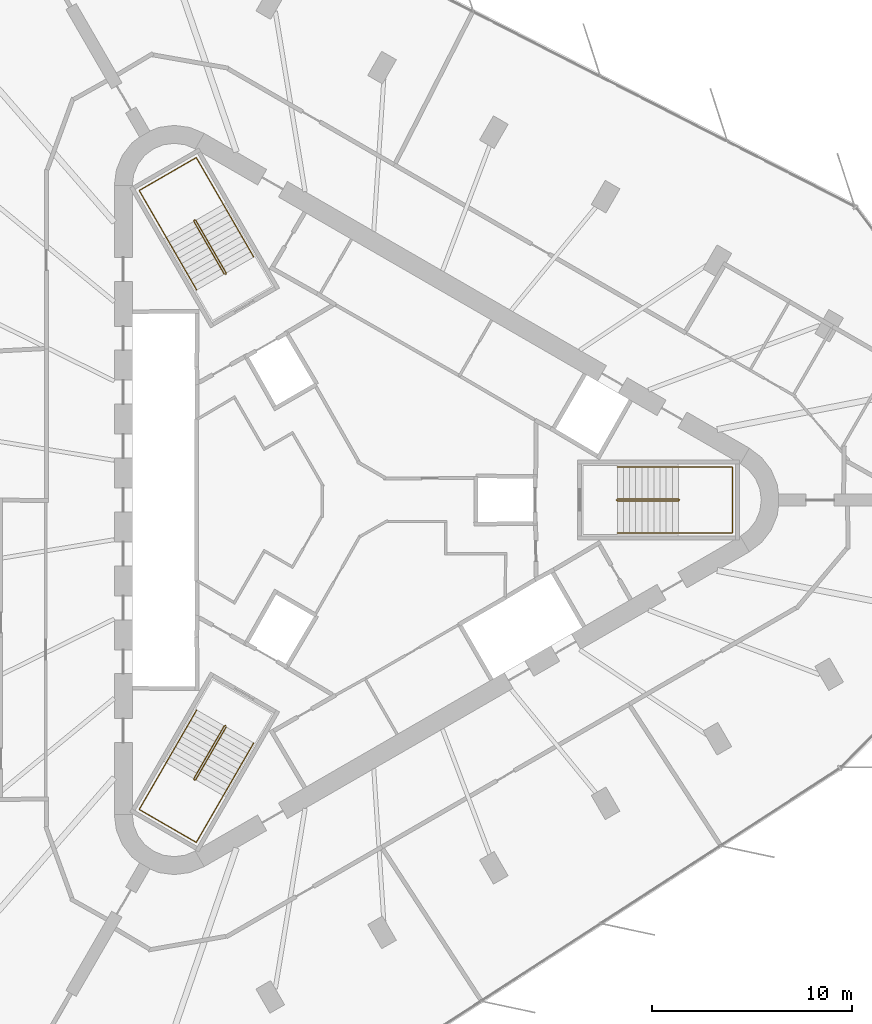
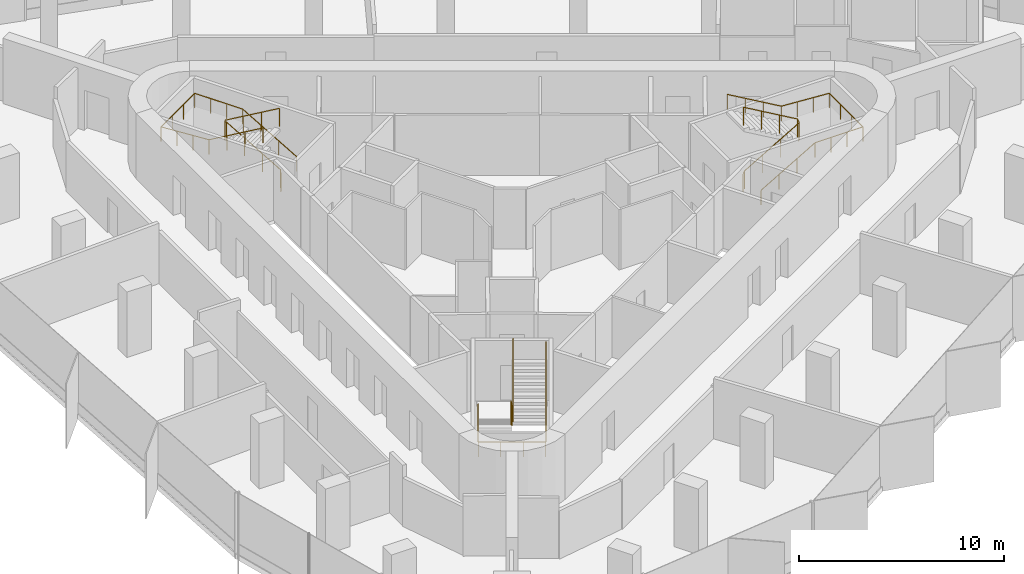
# One storey, part 12 of 12: 6 railings.
"""IFC4 building model written with IfcOpenShell, lengths in metres."""

from ifc_helpers import new_model, si_unit, direction, frame, origin, origin_2d, place, context, subcontext, project, spatial, circle, extrude, material, type_object, element, save


model = new_model("IFC4")

# Units and contexts
model_context = context("Model", 3, precision=1e-05, world=origin(), true_north=direction((0.0, 1.0)))
body_context = subcontext(model_context, "Body", "Model", "MODEL_VIEW")
ifc_project = project(units=[si_unit("LENGTHUNIT", "METRE"), si_unit("AREAUNIT", "SQUARE_METRE"), si_unit("VOLUMEUNIT", "CUBIC_METRE"), si_unit("PLANEANGLEUNIT", "RADIAN"), si_unit("MASSUNIT", "GRAM", prefix="KILO")], contexts=[model_context])

# Site, building, storey
site_placement = place(None, origin())
site = spatial("IfcSite", under=ifc_project, at=site_placement, CompositionType="ELEMENT")
building_placement = place(site_placement, origin())
building = spatial("IfcBuilding", under=site, at=building_placement, Name="Tanit Gate Tower", CompositionType="ELEMENT")
storey_placement = place(building_placement, frame((0.0, 0.0, 357.199951171875)))
storey = spatial("IfcBuildingStorey", under=building, at=storey_placement, Name="L81", CompositionType="ELEMENT", Elevation=357.199951171875)

# Railings
ifc_material_1 = material(Name="Stainless steel balustrade", Category="steel")
railing_type_1 = type_object("IfcRailingType", Name="INT-STAIR-GUARD", PredefinedType="GUARDRAIL", material=ifc_material_1)
railing_1_placement = place(storey_placement, frame((13.044921875, 0.0048828125, 0.0)))
element("IfcRailing", 1, at=railing_1_placement, inside=storey, type_object=railing_type_1, Name="L81 S1 stair guard 1", PredefinedType="GUARDRAIL", context=body_context, shape_type="SweptSolid", body=[
    extrude(circle(Radius=0.02392578125, at=origin_2d()), frame((0.0, 0.0, 1.076171875), z_axis=(0.0, -1.0, 0.0), x_axis=(1.0, 0.0, 0.0)), (0.0, 0.0, 1.0), 0.009765625),
    extrude(circle(Radius=0.02392578125, at=origin_2d()), frame((0.0, -0.009765625, 1.076171875), z_axis=(0.262233686654, -0.262233686654, 0.928691007369), x_axis=(0.707106781187, 0.707106781187, 0.0)), (0.0, 0.0, 1.0), 0.19091796875),
    extrude(circle(Radius=0.02392578125, at=origin_2d()), frame((0.050048828125, -0.059814453125, 1.25341796875), z_axis=(0.864648382064, 0.0, 0.502377522779), x_axis=(0.0, 1.0, 0.0)), (0.0, 0.0, 1.0), 3.528564453125),
    extrude(circle(Radius=0.02392578125, at=origin_2d()), frame((3.10107421875, -0.059814453125, 3.02587890625), z_axis=(0.707106781187, 0.707106781187, 0.0), x_axis=(-0.707106781187, 0.707106781187, 0.0)), (0.0, 0.0, 1.0), 0.07080078125),
    extrude(circle(Radius=0.02392578125, at=origin_2d()), frame((3.151123046875, -0.009765625, 3.02587890625), z_axis=(0.0, 1.0, 0.0), x_axis=(-1.0, 0.0, 0.0)), (0.0, 0.0, 1.0), 0.009765625),
    extrude(circle(Radius=0.02392578125, at=origin_2d()), frame((3.151123046875, 0.0, 3.02587890625), z_axis=(-0.261922500866, 0.261922500866, 0.928866625022), x_axis=(-0.707106781187, -0.707106781187, 0.0)), (0.0, 0.0, 1.0), 0.191162109375),
    extrude(circle(Radius=0.02392578125, at=origin_2d()), frame((3.10107421875, 0.050048828125, 3.20361328125), z_axis=(-0.864648382064, 0.0, 0.502377522779), x_axis=(0.0, -1.0, 0.0)), (0.0, 0.0, 1.0), 3.528564453125),
    extrude(circle(Radius=0.02099609375, at=origin_2d()), origin(), (0.0, 0.0, 1.0), 1.052001953125),
    extrude(circle(Radius=0.02099609375, at=origin_2d()), frame((0.0, -0.009765625, 0.0)), (0.0, 0.0, 1.0), 1.052001953125),
    extrude(circle(Radius=0.02099609375, at=origin_2d()), frame((0.050048828125, -0.059814453125, 0.17724609375)), (0.0, 0.0, 1.0), 1.052001953125),
    extrude(circle(Radius=0.02099609375, at=origin_2d()), frame((1.067138671875, -0.059814453125, 0.76806640625)), (0.0, 0.0, 1.0), 1.052001953125),
    extrude(circle(Radius=0.02099609375, at=origin_2d()), frame((2.083984375, -0.059814453125, 1.359130859375)), (0.0, 0.0, 1.0), 1.052001953125),
    extrude(circle(Radius=0.02099609375, at=origin_2d()), frame((3.10107421875, -0.059814453125, 1.949951171875)), (0.0, 0.0, 1.0), 1.052001953125),
    extrude(circle(Radius=0.02099609375, at=origin_2d()), frame((3.151123046875, -0.009765625, 1.949951171875)), (0.0, 0.0, 1.0), 1.052001953125),
    extrude(circle(Radius=0.02099609375, at=origin_2d()), frame((3.151123046875, 0.0, 1.949951171875)), (0.0, 0.0, 1.0), 1.052001953125),
    extrude(circle(Radius=0.02099609375, at=origin_2d()), frame((3.10107421875, 0.050048828125, 2.12744140625)), (0.0, 0.0, 1.0), 1.052001953125),
    extrude(circle(Radius=0.02099609375, at=origin_2d()), frame((2.083984375, 0.050048828125, 2.71826171875)), (0.0, 0.0, 1.0), 1.052001953125),
    extrude(circle(Radius=0.02099609375, at=origin_2d()), frame((1.067138671875, 0.050048828125, 3.309326171875)), (0.0, 0.0, 1.0), 1.052001953125),
    extrude(circle(Radius=0.02099609375, at=origin_2d()), frame((0.050048828125, 0.050048828125, 3.900146484375)), (0.0, 0.0, 1.0), 1.052001953125),
])
railing_2_placement = place(storey_placement, frame((-6.527099609375, 11.29345703125, 0.0)))
element("IfcRailing", 2, at=railing_2_placement, inside=storey, type_object=railing_type_1, Name="L81 S2 stair guard 1", PredefinedType="GUARDRAIL", context=body_context, shape_type="SweptSolid", body=[
    extrude(circle(Radius=0.02392578125, at=origin_2d()), frame((0.0, 0.0, 1.076171875), z_axis=(0.868243142124, 0.496138938357, 0.0), x_axis=(-0.496138938357, 0.868243142124, 0.0)), (0.0, 0.0, 1.0), 0.01171875),
    extrude(circle(Radius=0.02392578125, at=origin_2d()), frame((0.01025390625, 0.005859375, 1.076171875), z_axis=(0.095941116058, 0.358180166617, 0.928710003441), x_axis=(-0.965948051503, 0.258736085224, 0.0)), (0.0, 0.0, 1.0), 0.19091796875),
    extrude(circle(Radius=0.02392578125, at=origin_2d()), frame((0.028564453125, 0.07421875, 1.25341796875), z_axis=(-0.4322777601, 0.748681545756, 0.50260509465), x_axis=(-0.866012246495, -0.500022788402, 0.0)), (0.0, 0.0, 1.0), 3.527099609375),
    extrude(circle(Radius=0.02392578125, at=origin_2d()), frame((-1.49609375, 2.71484375, 3.02587890625), z_axis=(-0.965715946433, 0.259601060869, 0.0), x_axis=(-0.259601060869, -0.965715946433, 0.0)), (0.0, 0.0, 1.0), 0.070556640625),
    extrude(circle(Radius=0.02392578125, at=origin_2d()), frame((-1.564208984375, 2.733154296875, 3.02587890625), z_axis=(-0.873197702015, -0.487366159264, 0.0), x_axis=(0.487366159264, -0.873197702015, 0.0)), (0.0, 0.0, 1.0), 0.011962890625),
    extrude(circle(Radius=0.02392578125, at=origin_2d()), frame((-1.57470703125, 2.727294921875, 3.02587890625), z_axis=(-0.095827260621, -0.357755106318, 0.928885579619), x_axis=(0.965948051503, -0.258736085224, 0.0)), (0.0, 0.0, 1.0), 0.191162109375),
    extrude(circle(Radius=0.02392578125, at=origin_2d()), frame((-1.593017578125, 2.658935546875, 3.20361328125), z_axis=(0.4322777601, -0.748681545756, 0.50260509465), x_axis=(0.866012246495, 0.500022788402, 0.0)), (0.0, 0.0, 1.0), 3.527099609375),
    extrude(circle(Radius=0.02099609375, at=origin_2d()), origin(), (0.0, 0.0, 1.0), 1.052001953125),
    extrude(circle(Radius=0.02099609375, at=origin_2d()), frame((0.01025390625, 0.005859375, 0.0)), (0.0, 0.0, 1.0), 1.052001953125),
    extrude(circle(Radius=0.02099609375, at=origin_2d()), frame((0.028564453125, 0.07421875, 0.17724609375)), (0.0, 0.0, 1.0), 1.052001953125),
    extrude(circle(Radius=0.02099609375, at=origin_2d()), frame((-0.479736328125, 0.954345703125, 0.76806640625)), (0.0, 0.0, 1.0), 1.052001953125),
    extrude(circle(Radius=0.02099609375, at=origin_2d()), frame((-0.98779296875, 1.834716796875, 1.359130859375)), (0.0, 0.0, 1.0), 1.052001953125),
    extrude(circle(Radius=0.02099609375, at=origin_2d()), frame((-1.49609375, 2.71484375, 1.949951171875)), (0.0, 0.0, 1.0), 1.052001953125),
    extrude(circle(Radius=0.02099609375, at=origin_2d()), frame((-1.564208984375, 2.733154296875, 1.949951171875)), (0.0, 0.0, 1.0), 1.052001953125),
    extrude(circle(Radius=0.02099609375, at=origin_2d()), frame((-1.57470703125, 2.727294921875, 1.949951171875)), (0.0, 0.0, 1.0), 1.052001953125),
    extrude(circle(Radius=0.02099609375, at=origin_2d()), frame((-1.593017578125, 2.658935546875, 2.12744140625)), (0.0, 0.0, 1.0), 1.052001953125),
    extrude(circle(Radius=0.02099609375, at=origin_2d()), frame((-1.084716796875, 1.77880859375, 2.71826171875)), (0.0, 0.0, 1.0), 1.052001953125),
    extrude(circle(Radius=0.02099609375, at=origin_2d()), frame((-0.57666015625, 0.8984375, 3.309326171875)), (0.0, 0.0, 1.0), 1.052001953125),
    extrude(circle(Radius=0.02099609375, at=origin_2d()), frame((-0.068359375, 0.018310546875, 3.900146484375)), (0.0, 0.0, 1.0), 1.052001953125),
])
railing_3_placement = place(storey_placement, frame((-6.51806640625, -11.2998046875, 0.0)))
element("IfcRailing", 3, at=railing_3_placement, inside=storey, type_object=railing_type_1, Name="L81 S3 stair guard 1", PredefinedType="GUARDRAIL", context=body_context, shape_type="SweptSolid", body=[
    extrude(circle(Radius=0.02392578125, at=origin_2d()), frame((0.0, 0.0, 1.076171875), z_axis=(-0.874157276122, 0.485642931179, 0.0), x_axis=(-0.485642931179, -0.874157276122, 0.0)), (0.0, 0.0, 1.0), 0.010009765625),
    extrude(circle(Radius=0.02392578125, at=origin_2d()), frame((-0.0087890625, 0.0048828125, 1.076171875), z_axis=(-0.358223840744, -0.094673443625, 0.928823244215), x_axis=(0.255512919477, -0.966805641264, 0.0)), (0.0, 0.0, 1.0), 0.19091796875),
    extrude(circle(Radius=0.02392578125, at=origin_2d()), frame((-0.0771484375, -0.01318359375, 1.25341796875), z_axis=(-0.432289778901, -0.748827189027, 0.502377734411), x_axis=(0.866048339477, -0.499960272111, 0.0)), (0.0, 0.0, 1.0), 3.528564453125),
    extrude(circle(Radius=0.02392578125, at=origin_2d()), frame((-1.6025390625, -2.655517578125, 3.02587890625), z_axis=(0.258736085224, -0.965948051503, 0.0), x_axis=(0.965948051503, 0.258736085224, 0.0)), (0.0, 0.0, 1.0), 0.07080078125),
    extrude(circle(Radius=0.02392578125, at=origin_2d()), frame((-1.584228515625, -2.723876953125, 3.02587890625), z_axis=(0.868243142124, -0.496138938357, 0.0), x_axis=(0.496138938357, 0.868243142124, 0.0)), (0.0, 0.0, 1.0), 0.009765625),
    extrude(circle(Radius=0.02392578125, at=origin_2d()), frame((-1.57568359375, -2.728759765625, 3.02587890625), z_axis=(0.357755106318, 0.095827260621, 0.928885579619), x_axis=(-0.258736085224, 0.965948051503, 0.0)), (0.0, 0.0, 1.0), 0.191162109375),
    extrude(circle(Radius=0.02392578125, at=origin_2d()), frame((-1.50732421875, -2.71044921875, 3.20361328125), z_axis=(0.432368434633, 0.748774395838, 0.502388734816), x_axis=(-0.865993683553, 0.500054937028, 0.0)), (0.0, 0.0, 1.0), 3.528564453125),
    extrude(circle(Radius=0.02099609375, at=origin_2d()), origin(), (0.0, 0.0, 1.0), 1.052001953125),
    extrude(circle(Radius=0.02099609375, at=origin_2d()), frame((-0.0087890625, 0.0048828125, 0.0)), (0.0, 0.0, 1.0), 1.052001953125),
    extrude(circle(Radius=0.02099609375, at=origin_2d()), frame((-0.0771484375, -0.01318359375, 0.17724609375)), (0.0, 0.0, 1.0), 1.052001953125),
    extrude(circle(Radius=0.02099609375, at=origin_2d()), frame((-0.585693359375, -0.89404296875, 0.76806640625)), (0.0, 0.0, 1.0), 1.052001953125),
    extrude(circle(Radius=0.02099609375, at=origin_2d()), frame((-1.093994140625, -1.774658203125, 1.359130859375)), (0.0, 0.0, 1.0), 1.052001953125),
    extrude(circle(Radius=0.02099609375, at=origin_2d()), frame((-1.6025390625, -2.655517578125, 1.949951171875)), (0.0, 0.0, 1.0), 1.052001953125),
    extrude(circle(Radius=0.02099609375, at=origin_2d()), frame((-1.584228515625, -2.723876953125, 1.949951171875)), (0.0, 0.0, 1.0), 1.052001953125),
    extrude(circle(Radius=0.02099609375, at=origin_2d()), frame((-1.57568359375, -2.728759765625, 1.949951171875)), (0.0, 0.0, 1.0), 1.052001953125),
    extrude(circle(Radius=0.02099609375, at=origin_2d()), frame((-1.50732421875, -2.71044921875, 2.12744140625)), (0.0, 0.0, 1.0), 1.052001953125),
    extrude(circle(Radius=0.02099609375, at=origin_2d()), frame((-0.998779296875, -1.829833984375, 2.71826171875)), (0.0, 0.0, 1.0), 1.052001953125),
    extrude(circle(Radius=0.02099609375, at=origin_2d()), frame((-0.490234375, -0.948974609375, 3.309326171875)), (0.0, 0.0, 1.0), 1.052001953125),
    extrude(circle(Radius=0.02099609375, at=origin_2d()), frame((0.018310546875, -0.068359375, 3.900146484375)), (0.0, 0.0, 1.0), 1.052001953125),
])
ifc_material_2 = material(Name="Stainless steel handrail", Category="steel")
railing_type_2 = type_object("IfcRailingType", Name="INT-STAIR-HANDRAIL", PredefinedType="HANDRAIL", material=ifc_material_2)
railing_4_placement = place(storey_placement, frame((13.094970703125, -1.64990234375, 0.17724609375)))
element("IfcRailing", 4, at=railing_4_placement, inside=storey, type_object=railing_type_2, Name="L81 S1 stair handrail 1", PredefinedType="HANDRAIL", context=body_context, shape_type="SweptSolid", body=[
    extrude(circle(Radius=0.02392578125, at=origin_2d()), frame((0.0, 0.0, 0.8759765625), z_axis=(0.864648382064, 0.0, 0.502377522779), x_axis=(0.0, 1.0, 0.0)), (0.0, 0.0, 1.0), 3.528564453125),
    extrude(circle(Radius=0.02392578125, at=origin_2d()), frame((3.051025390625, 0.0, 2.6484375), z_axis=(1.0, 0.0, 0.0), x_axis=(0.0, 1.0, 0.0)), (0.0, 0.0, 1.0), 2.7041015625),
    extrude(circle(Radius=0.02392578125, at=origin_2d()), frame((5.755126953125, 0.0, 2.6484375), z_axis=(0.0, 1.0, 0.0), x_axis=(-1.0, 0.0, 0.0)), (0.0, 0.0, 1.0), 3.2998046875),
    extrude(circle(Radius=0.02392578125, at=origin_2d()), frame((5.755126953125, 3.2998046875, 2.6484375), z_axis=(-0.997852800478, 0.0, 0.065496477604), x_axis=(0.0, -1.0, 0.0)), (0.0, 0.0, 1.0), 2.7099609375),
    extrude(circle(Radius=0.02392578125, at=origin_2d()), frame((3.051025390625, 3.2998046875, 2.826171875), z_axis=(-0.864648382064, 0.0, 0.502377522779), x_axis=(0.0, -1.0, 0.0)), (0.0, 0.0, 1.0), 3.528564453125),
    extrude(circle(Radius=0.02099609375, at=origin_2d()), origin(), (0.0, 0.0, 1.0), 0.851806640625),
    extrude(circle(Radius=0.02099609375, at=origin_2d()), frame((1.01708984375, 0.0, 0.5908203125)), (0.0, 0.0, 1.0), 0.851806640625),
    extrude(circle(Radius=0.02099609375, at=origin_2d()), frame((2.033935546875, 0.0, 1.181884765625)), (0.0, 0.0, 1.0), 0.851806640625),
    extrude(circle(Radius=0.02099609375, at=origin_2d()), frame((3.051025390625, 0.0, 1.772705078125)), (0.0, 0.0, 1.0), 0.851806640625),
    extrude(circle(Radius=0.02099609375, at=origin_2d()), frame((3.952392578125, 0.0, 1.772705078125)), (0.0, 0.0, 1.0), 0.851806640625),
    extrude(circle(Radius=0.02099609375, at=origin_2d()), frame((4.853759765625, 0.0, 1.772705078125)), (0.0, 0.0, 1.0), 0.851806640625),
    extrude(circle(Radius=0.02099609375, at=origin_2d()), frame((5.755126953125, 0.0, 1.772705078125)), (0.0, 0.0, 1.0), 0.851806640625),
    extrude(circle(Radius=0.02099609375, at=origin_2d()), frame((5.755126953125, 1.099853515625, 1.772705078125)), (0.0, 0.0, 1.0), 0.851806640625),
    extrude(circle(Radius=0.02099609375, at=origin_2d()), frame((5.755126953125, 2.199951171875, 1.772705078125)), (0.0, 0.0, 1.0), 0.851806640625),
    extrude(circle(Radius=0.02099609375, at=origin_2d()), frame((5.755126953125, 3.2998046875, 1.772705078125)), (0.0, 0.0, 1.0), 0.851806640625),
    extrude(circle(Radius=0.02099609375, at=origin_2d()), frame((4.853759765625, 3.2998046875, 1.831787109375)), (0.0, 0.0, 1.0), 0.851806640625),
    extrude(circle(Radius=0.02099609375, at=origin_2d()), frame((3.952392578125, 3.2998046875, 1.89111328125)), (0.0, 0.0, 1.0), 0.851806640625),
    extrude(circle(Radius=0.02099609375, at=origin_2d()), frame((3.051025390625, 3.2998046875, 1.9501953125)), (0.0, 0.0, 1.0), 0.851806640625),
    extrude(circle(Radius=0.02099609375, at=origin_2d()), frame((2.033935546875, 3.2998046875, 2.541015625)), (0.0, 0.0, 1.0), 0.851806640625),
    extrude(circle(Radius=0.02099609375, at=origin_2d()), frame((1.01708984375, 3.2998046875, 3.132080078125)), (0.0, 0.0, 1.0), 0.851806640625),
    extrude(circle(Radius=0.02099609375, at=origin_2d()), frame((0.0, 3.2998046875, 3.722900390625)), (0.0, 0.0, 1.0), 0.851806640625),
])
railing_5_placement = place(storey_placement, frame((-5.1181640625, 12.164794921875, 0.17724609375)))
element("IfcRailing", 5, at=railing_5_placement, inside=storey, type_object=railing_type_2, Name="L81 S2 stair handrail 1", PredefinedType="HANDRAIL", context=body_context, shape_type="SweptSolid", body=[
    extrude(circle(Radius=0.02392578125, at=origin_2d()), frame((0.0, 0.0, 0.8759765625), z_axis=(-0.432221472453, 0.748703947157, 0.502620133164), x_axis=(-0.866046917185, -0.499962735845, 0.0)), (0.0, 0.0, 1.0), 3.52685546875),
    extrude(circle(Radius=0.02392578125, at=origin_2d()), frame((-1.5244140625, 2.640625, 2.6484375), z_axis=(-0.500019123664, 0.86601436245, 0.0), x_axis=(-0.86601436245, -0.500019123664, 0.0)), (0.0, 0.0, 1.0), 2.70703125),
    extrude(circle(Radius=0.02392578125, at=origin_2d()), frame((-2.8779296875, 4.98486328125, 2.6484375), z_axis=(-0.866008176907, -0.50002983664, 0.0), x_axis=(0.50002983664, -0.866008176907, 0.0)), (0.0, 0.0, 1.0), 3.300048828125),
    extrude(circle(Radius=0.02392578125, at=origin_2d()), frame((-5.73583984375, 3.334716796875, 2.6484375), z_axis=(0.498986523186, -0.864135932379, 0.065433478058), x_axis=(0.865991810323, 0.500058181068, 0.0)), (0.0, 0.0, 1.0), 2.712646484375),
    extrude(circle(Radius=0.02392578125, at=origin_2d()), frame((-4.38232421875, 0.99072265625, 2.826171875), z_axis=(0.432255358616, -0.748711963836, 0.502579048665), x_axis=(0.866032263162, 0.499988119021, 0.0)), (0.0, 0.0, 1.0), 3.527099609375),
    extrude(circle(Radius=0.02099609375, at=origin_2d()), origin(), (0.0, 0.0, 1.0), 0.851806640625),
    extrude(circle(Radius=0.02099609375, at=origin_2d()), frame((-0.508056640625, 0.880126953125, 0.5908203125)), (0.0, 0.0, 1.0), 0.851806640625),
    extrude(circle(Radius=0.02099609375, at=origin_2d()), frame((-1.016357421875, 1.760498046875, 1.181884765625)), (0.0, 0.0, 1.0), 0.851806640625),
    extrude(circle(Radius=0.02099609375, at=origin_2d()), frame((-1.5244140625, 2.640625, 1.772705078125)), (0.0, 0.0, 1.0), 0.851806640625),
    extrude(circle(Radius=0.02099609375, at=origin_2d()), frame((-1.9755859375, 3.422119140625, 1.772705078125)), (0.0, 0.0, 1.0), 0.851806640625),
    extrude(circle(Radius=0.02099609375, at=origin_2d()), frame((-2.4267578125, 4.203369140625, 1.772705078125)), (0.0, 0.0, 1.0), 0.851806640625),
    extrude(circle(Radius=0.02099609375, at=origin_2d()), frame((-2.8779296875, 4.98486328125, 1.772705078125)), (0.0, 0.0, 1.0), 0.851806640625),
    extrude(circle(Radius=0.02099609375, at=origin_2d()), frame((-3.83056640625, 4.434814453125, 1.772705078125)), (0.0, 0.0, 1.0), 0.851806640625),
    extrude(circle(Radius=0.02099609375, at=origin_2d()), frame((-4.783203125, 3.884765625, 1.772705078125)), (0.0, 0.0, 1.0), 0.851806640625),
    extrude(circle(Radius=0.02099609375, at=origin_2d()), frame((-5.73583984375, 3.334716796875, 1.772705078125)), (0.0, 0.0, 1.0), 0.851806640625),
    extrude(circle(Radius=0.02099609375, at=origin_2d()), frame((-5.28466796875, 2.553466796875, 1.831787109375)), (0.0, 0.0, 1.0), 0.851806640625),
    extrude(circle(Radius=0.02099609375, at=origin_2d()), frame((-4.83349609375, 1.77197265625, 1.89111328125)), (0.0, 0.0, 1.0), 0.851806640625),
    extrude(circle(Radius=0.02099609375, at=origin_2d()), frame((-4.38232421875, 0.99072265625, 1.9501953125)), (0.0, 0.0, 1.0), 0.851806640625),
    extrude(circle(Radius=0.02099609375, at=origin_2d()), frame((-3.8740234375, 0.1103515625, 2.541015625)), (0.0, 0.0, 1.0), 0.851806640625),
    extrude(circle(Radius=0.02099609375, at=origin_2d()), frame((-3.365966796875, -0.769775390625, 3.132080078125)), (0.0, 0.0, 1.0), 0.851806640625),
    extrude(circle(Radius=0.02099609375, at=origin_2d()), frame((-2.857666015625, -1.650146484375, 3.722900390625)), (0.0, 0.0, 1.0), 0.851806640625),
])
railing_6_placement = place(storey_placement, frame((-7.9765625, -10.515625, 0.17724609375)))
element("IfcRailing", 6, at=railing_6_placement, inside=storey, type_object=railing_type_2, Name="L81 S3 stair handrail 1", PredefinedType="HANDRAIL", context=body_context, shape_type="SweptSolid", body=[
    extrude(circle(Radius=0.02392578125, at=origin_2d()), frame((0.0, 0.0, 0.8759765625), z_axis=(-0.432289778901, -0.748827189027, 0.502377734411), x_axis=(0.866048339477, -0.499960272111, 0.0)), (0.0, 0.0, 1.0), 3.528564453125),
    extrude(circle(Radius=0.02392578125, at=origin_2d()), frame((-1.525390625, -2.642333984375, 2.6484375), z_axis=(-0.50004290449, -0.866000631449, 0.0), x_axis=(0.866000631449, -0.50004290449, 0.0)), (0.0, 0.0, 1.0), 2.703857421875),
    extrude(circle(Radius=0.02392578125, at=origin_2d()), frame((-2.87744140625, -4.98388671875, 2.6484375), z_axis=(0.866008176907, -0.50002983664, 0.0), x_axis=(0.50002983664, 0.866008176907, 0.0)), (0.0, 0.0, 1.0), 3.300048828125),
    extrude(circle(Radius=0.02392578125, at=origin_2d()), frame((-0.01953125, -6.634033203125, 2.6484375), z_axis=(0.498930182534, 0.864163653099, 0.065496974125), x_axis=(-0.866023205937, 0.500003806764, 0.0)), (0.0, 0.0, 1.0), 2.7099609375),
    extrude(circle(Radius=0.02392578125, at=origin_2d()), frame((1.33251953125, -4.292236328125, 2.826171875), z_axis=(0.432289778901, 0.748827189027, 0.502377734411), x_axis=(-0.866048339477, 0.499960272111, 0.0)), (0.0, 0.0, 1.0), 3.528564453125),
    extrude(circle(Radius=0.02099609375, at=origin_2d()), origin(), (0.0, 0.0, 1.0), 0.851806640625),
    extrude(circle(Radius=0.02099609375, at=origin_2d()), frame((-0.508544921875, -0.880859375, 0.5908203125)), (0.0, 0.0, 1.0), 0.851806640625),
    extrude(circle(Radius=0.02099609375, at=origin_2d()), frame((-1.016845703125, -1.761474609375, 1.181884765625)), (0.0, 0.0, 1.0), 0.851806640625),
    extrude(circle(Radius=0.02099609375, at=origin_2d()), frame((-1.525390625, -2.642333984375, 1.772705078125)), (0.0, 0.0, 1.0), 0.851806640625),
    extrude(circle(Radius=0.02099609375, at=origin_2d()), frame((-1.97607421875, -3.4228515625, 1.772705078125)), (0.0, 0.0, 1.0), 0.851806640625),
    extrude(circle(Radius=0.02099609375, at=origin_2d()), frame((-2.4267578125, -4.203369140625, 1.772705078125)), (0.0, 0.0, 1.0), 0.851806640625),
    extrude(circle(Radius=0.02099609375, at=origin_2d()), frame((-2.87744140625, -4.98388671875, 1.772705078125)), (0.0, 0.0, 1.0), 0.851806640625),
    extrude(circle(Radius=0.02099609375, at=origin_2d()), frame((-1.9248046875, -5.533935546875, 1.772705078125)), (0.0, 0.0, 1.0), 0.851806640625),
    extrude(circle(Radius=0.02099609375, at=origin_2d()), frame((-0.97216796875, -6.083984375, 1.772705078125)), (0.0, 0.0, 1.0), 0.851806640625),
    extrude(circle(Radius=0.02099609375, at=origin_2d()), frame((-0.01953125, -6.634033203125, 1.772705078125)), (0.0, 0.0, 1.0), 0.851806640625),
    extrude(circle(Radius=0.02099609375, at=origin_2d()), frame((0.43115234375, -5.853515625, 1.831787109375)), (0.0, 0.0, 1.0), 0.851806640625),
    extrude(circle(Radius=0.02099609375, at=origin_2d()), frame((0.8818359375, -5.07275390625, 1.89111328125)), (0.0, 0.0, 1.0), 0.851806640625),
    extrude(circle(Radius=0.02099609375, at=origin_2d()), frame((1.33251953125, -4.292236328125, 1.9501953125)), (0.0, 0.0, 1.0), 0.851806640625),
    extrude(circle(Radius=0.02099609375, at=origin_2d()), frame((1.841064453125, -3.411376953125, 2.541015625)), (0.0, 0.0, 1.0), 0.851806640625),
    extrude(circle(Radius=0.02099609375, at=origin_2d()), frame((2.349365234375, -2.53076171875, 3.132080078125)), (0.0, 0.0, 1.0), 0.851806640625),
    extrude(circle(Radius=0.02099609375, at=origin_2d()), frame((2.85791015625, -1.64990234375, 3.722900390625)), (0.0, 0.0, 1.0), 0.851806640625),
])

save(model, "model.ifc")
